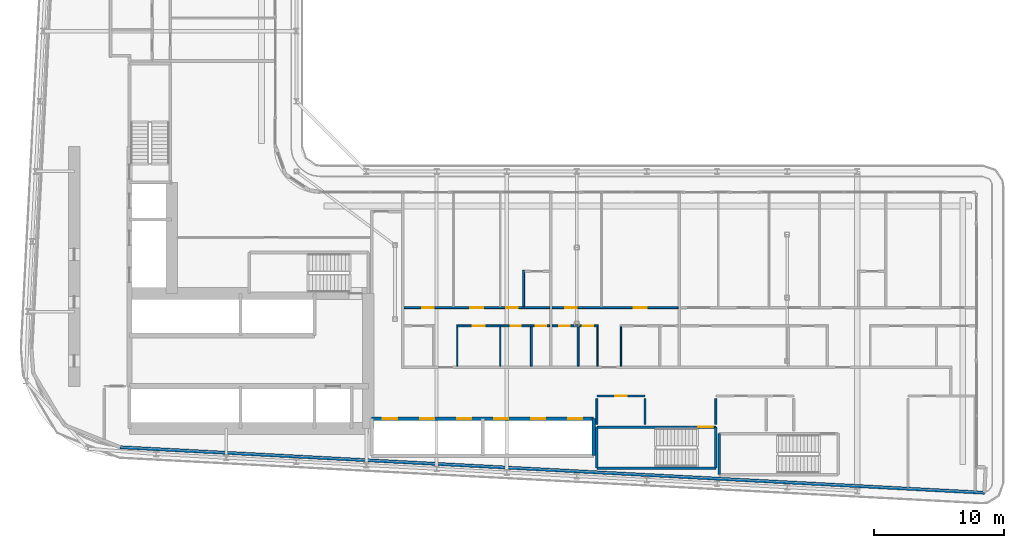
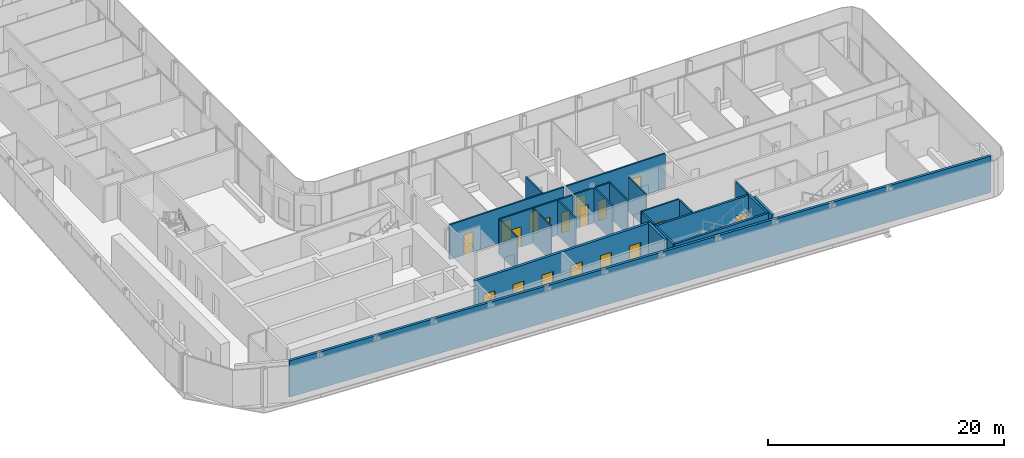
# One storey, part 14 of 28: 23 walls, 18 doors, 18 openings.
"""IFC4 building model written with IfcOpenShell, lengths in metres."""

import ifcopenshell
import ifcopenshell.guid

model = None  # the IFC model being written
_history = None  # IfcOwnerHistory: only IFC2X3 demands one
_inside = {}  # id of a spatial element -> (the spatial element, [elements in it])
_under = {}  # id of a project, library or spatial element -> (it, [spatial elements below it])
_declared = {}  # id of a project -> (the project, [libraries it declares])
_typed = {}  # id of a type object -> (the type object, [elements of that type])
_made_of = {}  # id of a material, layer set ... -> (it, [elements and type objects made of it])


def new_model(schema):
    """Start an empty IFC model of exactly this schema.

    Asked for "IFC4X3", IfcOpenShell would pick the latest addendum, in which some entities
    have other attributes; the version numbers below select the first issue.
    IFC2X3 requires an IfcOwnerHistory on every rooted entity: one is made here for all.
    """
    global model, _history
    if schema == "IFC4X3":
        model = ifcopenshell.file(schema_version=(4, 3, 0, 0))
    else:
        model = ifcopenshell.file(schema=schema)
    _inside.clear()
    _under.clear()
    _declared.clear()
    _typed.clear()
    _made_of.clear()
    _history = None
    if model.schema == "IFC2X3":
        org = make("IfcOrganization", Name="unknown")
        user = make(
            "IfcPersonAndOrganization",
            ThePerson=make("IfcPerson", FamilyName="unknown"),
            TheOrganization=org,
        )
        app = make(
            "IfcApplication",
            ApplicationDeveloper=org,
            Version="unknown",
            ApplicationFullName="unknown",
            ApplicationIdentifier="unknown",
        )
        _history = make(
            "IfcOwnerHistory",
            OwningUser=user,
            OwningApplication=app,
            ChangeAction="ADDED",
            CreationDate=0,
        )
    return model


def make(cls, **values):
    """One entity of the class cls with the attributes given. An attribute that is None is left unset."""
    return model.create_entity(
        cls, **{name: value for name, value in values.items() if value is not None}
    )


def rooted(cls, **values):
    """An entity with a GlobalId (a new one), such as an element, a storey or a relation."""
    return make(cls, GlobalId=ifcopenshell.guid.new(), OwnerHistory=_history, **values)


def si_unit(unit_type, name, prefix=None):
    """IfcSIUnit, for example si_unit("LENGTHUNIT", "METRE", prefix="MILLI")."""
    return make("IfcSIUnit", UnitType=unit_type, Prefix=prefix, Name=name)


def assignment(units):
    """IfcUnitAssignment: the units of a project."""
    return None if units is None else make("IfcUnitAssignment", Units=units)


def point(xyz):
    """IfcCartesianPoint."""
    return None if xyz is None else make("IfcCartesianPoint", Coordinates=xyz)


def direction(xyz):
    """IfcDirection."""
    return None if xyz is None else make("IfcDirection", DirectionRatios=xyz)


def frame(location, z_axis=None, x_axis=None):
    """IfcAxis2Placement3D, a coordinate frame: its origin and axes. An axis left out is left unset."""
    return make(
        "IfcAxis2Placement3D",
        Location=point(location),
        Axis=direction(z_axis),
        RefDirection=direction(x_axis),
    )


def frame_2d(location, x_axis=None):
    """IfcAxis2Placement2D, a coordinate frame in the plane: its origin and x axis."""
    return make(
        "IfcAxis2Placement2D", Location=point(location), RefDirection=direction(x_axis)
    )


def origin():
    """The frame at (0, 0, 0) with its axes left unset."""
    return frame((0.0, 0.0, 0.0))


def place(relative_to, where):
    """IfcLocalPlacement: puts the frame where relative to a parent placement (None: the world)."""
    return make(
        "IfcLocalPlacement", PlacementRelTo=relative_to, RelativePlacement=where
    )


def context(
    kind, dimensions, precision=None, world=None, true_north=None, identifier=None
):
    """IfcGeometricRepresentationContext, for example the 3D "Model" context."""
    return make(
        "IfcGeometricRepresentationContext",
        ContextIdentifier=identifier,
        ContextType=kind,
        CoordinateSpaceDimension=dimensions,
        Precision=precision,
        WorldCoordinateSystem=world,
        TrueNorth=true_north,
    )


def subcontext(parent, identifier, kind, view, scale=None):
    """IfcGeometricRepresentationSubContext, for example "Body" below "Model"."""
    return make(
        "IfcGeometricRepresentationSubContext",
        ContextIdentifier=identifier,
        ContextType=kind,
        ParentContext=parent,
        TargetScale=scale,
        TargetView=view,
    )


def project(units=None, contexts=None):
    """IfcProject with its units and contexts."""
    return rooted(
        "IfcProject",
        Name="project",
        RepresentationContexts=contexts,
        UnitsInContext=assignment(units),
    )


def spatial(cls, under=None, at=None, **own):
    """A site, building, storey or space (cls), placed at a placement, below another one or the project."""
    s = rooted(cls, ObjectPlacement=at, **own)
    if under is not None:
        _under.setdefault(under.id(), (under, []))[1].append(s)
    return s


def profile(cls, at=None, kind="AREA", **sizes):
    """A parametric profile (cls). Its sizes go by their IFC names, for example OverallWidth=200.0."""
    return make(cls, ProfileType=kind, Position=at, **sizes)


def rectangle(**sizes):
    """IfcRectangleProfileDef."""
    return profile("IfcRectangleProfileDef", **sizes)


def extrude(swept, where, along, depth):
    """IfcExtrudedAreaSolid: the profile swept, set in the frame where, extruded along a direction by depth."""
    return make(
        "IfcExtrudedAreaSolid",
        SweptArea=swept,
        Position=where,
        ExtrudedDirection=direction(along),
        Depth=depth,
    )


def shape(context_of_items, identifier, shape_type, items):
    """IfcShapeRepresentation: the items that make up one representation, for example the "Body"."""
    return make(
        "IfcShapeRepresentation",
        ContextOfItems=context_of_items,
        RepresentationIdentifier=identifier,
        RepresentationType=shape_type,
        Items=items,
    )


def source(mapping_origin, context_of_items, identifier, shape_type, items):
    """IfcRepresentationMap: a shape defined once, which mapped items show again and again."""
    return make(
        "IfcRepresentationMap",
        MappingOrigin=mapping_origin,
        MappedRepresentation=shape(context_of_items, identifier, shape_type, items),
    )


def transform(
    local_origin,
    x_axis=None,
    y_axis=None,
    z_axis=None,
    scale=None,
    scale2=None,
    scale3=None,
    uniform=True,
):
    """IfcCartesianTransformationOperator3D, or its non-uniform kind. x_axis, y_axis, z_axis: its Axis1, 2, 3."""
    if uniform:
        return make(
            "IfcCartesianTransformationOperator3D",
            Axis1=direction(x_axis),
            Axis2=direction(y_axis),
            LocalOrigin=point(local_origin),
            Scale=scale,
            Axis3=direction(z_axis),
        )
    return make(
        "IfcCartesianTransformationOperator3DnonUniform",
        Axis1=direction(x_axis),
        Axis2=direction(y_axis),
        LocalOrigin=point(local_origin),
        Scale=scale,
        Axis3=direction(z_axis),
        Scale2=scale2,
        Scale3=scale3,
    )


def mapped(mapping_source, mapping_target):
    """IfcMappedItem: shows the shape of a source again, moved by a transform."""
    return make(
        "IfcMappedItem", MappingSource=mapping_source, MappingTarget=mapping_target
    )


def material(Name=None, Category=None):
    """IfcMaterial."""
    return make("IfcMaterial", Name=Name, Category=Category)


def layer(
    of_material, thickness, ventilated=None, Name=None, Category=None, Priority=None
):
    """IfcMaterialLayer: one layer of a wall or slab, of a material (None: an air gap)."""
    return make(
        "IfcMaterialLayer",
        Material=of_material,
        LayerThickness=thickness,
        IsVentilated=ventilated,
        Name=Name,
        Category=Category,
        Priority=Priority,
    )


def layer_set(layers, Name=None):
    """IfcMaterialLayerSet."""
    return make("IfcMaterialLayerSet", MaterialLayers=layers, LayerSetName=Name)


def made_of(thing, what):
    """Note that an element or type object is made of a material, layer set ...; save() writes the relation."""
    if what is not None:
        _made_of.setdefault(what.id(), (what, []))[1].append(thing)
    return thing


def type_object(cls, material=None, **own):
    """A type object (cls), such as IfcWallType, which elements share."""
    return made_of(rooted(cls, **own), material)


def element(
    cls,
    number,
    at=None,
    inside=None,
    cuts=None,
    type_object=None,
    material=None,
    context=None,
    identifier="Body",
    shape_type=None,
    held_by="IfcProductDefinitionShape",
    body=None,
    shapes=None,
    **own,
):
    """One element of the class cls, such as IfcWall. Its Tag is "e" and its number.

    at: its placement. inside: the storey or other place that contains it. cuts: it is an
    opening in that element (IfcRelVoidsElement). A single representation is given by context,
    identifier, shape_type and body (its items); several are given by shapes. held_by: the class
    of the entity that holds the representations. save() writes the other relations.
    """
    e = rooted(cls, Tag="e%d" % number, ObjectPlacement=at, **own)
    if body is not None:
        shapes = [shape(context, identifier, shape_type, body)]
    if shapes is not None:
        e.Representation = make(held_by, Representations=shapes)
    if inside is not None:
        _inside.setdefault(inside.id(), (inside, []))[1].append(e)
    if cuts is not None:
        rooted(
            "IfcRelVoidsElement", RelatingBuildingElement=cuts, RelatedOpeningElement=e
        )
    if type_object is not None:
        _typed.setdefault(type_object.id(), (type_object, []))[1].append(e)
    return made_of(e, material)


def fill(opening, filler):
    """IfcRelFillsElement: the door or window that sits in an opening."""
    return rooted(
        "IfcRelFillsElement",
        RelatingOpeningElement=opening,
        RelatedBuildingElement=filler,
    )


def aggregate(whole, parts):
    """IfcRelAggregates: a whole, such as a stair, and the parts it consists of."""
    return rooted("IfcRelAggregates", RelatingObject=whole, RelatedObjects=parts)


def save(model, path):
    """Write the relations noted so far, then the file.

    IfcRelAggregates (storeys below a building ...), IfcRelContainedInSpatialStructure (elements
    in a storey), IfcRelDefinesByType, IfcRelAssociatesMaterial and IfcRelDeclares: one each for
    every whole, place, type object, material and project.
    """
    for whole, parts in _under.values():
        aggregate(whole, parts)
    for where, things in _inside.values():
        rooted(
            "IfcRelContainedInSpatialStructure",
            RelatedElements=things,
            RelatingStructure=where,
        )
    for kind, things in _typed.values():
        rooted("IfcRelDefinesByType", RelatedObjects=things, RelatingType=kind)
    for what, things in _made_of.values():
        rooted("IfcRelAssociatesMaterial", RelatedObjects=things, RelatingMaterial=what)
    for by, libraries in _declared.values():
        rooted("IfcRelDeclares", RelatingContext=by, RelatedDefinitions=libraries)
    model.write(path)


model = new_model("IFC4")

# Units and contexts
model_context = context("Model", 3, precision=1e-05, world=origin(), true_north=direction((0.0, 1.0)))
body_context = subcontext(model_context, "Body", "Model", "MODEL_VIEW")
ifc_project = project(units=[si_unit("LENGTHUNIT", "METRE"), si_unit("AREAUNIT", "SQUARE_METRE"), si_unit("VOLUMEUNIT", "CUBIC_METRE"), si_unit("PLANEANGLEUNIT", "RADIAN"), si_unit("MASSUNIT", "GRAM", prefix="KILO")], contexts=[model_context])

# Site, building, storey
site_placement = place(None, origin())
site = spatial("IfcSite", under=ifc_project, at=site_placement, CompositionType="ELEMENT")
building_placement = place(site_placement, origin())
building = spatial("IfcBuilding", under=site, at=building_placement, Name="Kheshtan School and Residences Tower", CompositionType="ELEMENT")
storey_placement = place(building_placement, frame((0.0, 0.0, 94.10009765625)))
storey = spatial("IfcBuildingStorey", under=building, at=storey_placement, Name="L21", CompositionType="ELEMENT", Elevation=94.10009765625)

# Walls
ifc_material_1 = material(Name="Concrete C40/50 with ceramic cladding and mineral wool insulation", Category="concrete")
ifc_layer_1 = layer(ifc_material_1, 0.25)
ifc_layer_set_1 = layer_set([ifc_layer_1], Name="External wall 250 ceramic clad")
wall_type_1 = type_object("IfcWallType", Name="External wall 250 ceramic clad", PredefinedType="SOLIDWALL", material=ifc_layer_set_1)
wall_1_placement = place(storey_placement, frame((100.5859375, 20.85009765625, 0.0), z_axis=(0.0, 0.0, 1.0), x_axis=(-0.99861746497, 0.052565755559, 0.0)))
element("IfcWall", 1, at=wall_1_placement, inside=storey, type_object=wall_type_1, Name="External wall L21 12", PredefinedType="SOLIDWALL", context=body_context, shape_type="SweptSolid", body=[
    extrude(rectangle(XDim=66.638916015625, YDim=0.25, at=frame_2d((33.3193359375, 0.0))), origin(), (0.0, 0.0, 1.0), 3.75),
])
ifc_material_2 = material(Name="Gypsum board on steel studs", Category="steel")
ifc_layer_2 = layer(ifc_material_2, 0.10009765625)
ifc_layer_set_2 = layer_set([ifc_layer_2], Name="Gypsum partition 100")
wall_type_2 = type_object("IfcWallType", Name="Gypsum partition 100", PredefinedType="PARTITIONING", material=ifc_layer_set_2)
for number, where, z_axis, x_axis, name in (
    (2, (60.0, 30.60009765625, 0.0), (0.0, 0.0, 1.0), (0.0, 1.0, 0.0), "Partition L21-039"),
    (3, (63.300048828125, 30.60009765625, 0.0), (0.0, 0.0, 1.0), (0.0, 1.0, 0.0), "Partition L21-040"),
    (4, (70.800048828125, 30.60009765625, 0.0), (0.0, 0.0, 1.0), (0.0, 1.0, 0.0), "Partition L21-049"),
    (5, (72.60009765625, 30.60009765625, 0.0), (0.0, 0.0, 1.0), (0.0, 1.0, 0.0), "Partition L21-052"),
):
    element("IfcWall", number, at=place(storey_placement, frame(where, z_axis=z_axis, x_axis=x_axis)), inside=storey, type_object=wall_type_2, Name=name, PredefinedType="PARTITIONING", context=body_context, shape_type="SweptSolid", body=[
        extrude(rectangle(XDim=3.02490234375, YDim=0.10009765625, at=frame_2d((1.512451171875, 0.0))), origin(), (0.0, 0.0, 1.0), 3.599853515625),
    ])

# Wall, opening, door
ifc_material_3 = material(Name="Fire-board shaft wall system")
ifc_layer_3 = layer(ifc_material_3, 0.14990234375)
ifc_layer_set_3 = layer_set([ifc_layer_3], Name="Service room wall 150")
wall_type_3 = type_object("IfcWallType", Name="Service room wall 150", PredefinedType="PARTITIONING", material=ifc_layer_set_3)
wall_2_placement = place(storey_placement, frame((70.75, 28.300048828125, 0.0), z_axis=(0.0, 0.0, 1.0), x_axis=(1.0, 0.0, 0.0)))
wall_2 = element("IfcWall", 6, at=wall_2_placement, inside=storey, type_object=wall_type_3, Name="Service room wall", PredefinedType="PARTITIONING", context=body_context, shape_type="SweptSolid", body=[
    extrude(rectangle(XDim=3.7041015625, YDim=0.14990234375, at=frame_2d((1.85205078125, 0.0))), origin(), (0.0, 0.0, 1.0), 3.89990234375),
])
opening_1_placement = place(wall_2_placement, frame((1.402099609375, 0.0, 0.0)))
opening_1 = element("IfcOpeningElement", 7, at=opening_1_placement, cuts=wall_2, Name="Opening SR90", PredefinedType="OPENING", context=body_context, shape_type="SweptSolid", body=[
    extrude(rectangle(XDim=0.89990234375, YDim=2.199951171875, at=frame_2d((0.449951171875, 1.10009765625))), frame((0.0, 0.0849609375, 0.0), z_axis=(0.0, -1.0, 0.0), x_axis=(1.0, 0.0, 0.0)), (0.0, 0.0, 1.0), 0.169921875),
])
ifc_material_4 = material(Name="Steel door leaf, galvanised", Category="steel")
door_type_1 = type_object("IfcDoorType", Name="Service room door 900 steel 90 min", OperationType="SINGLE_SWING_LEFT", PredefinedType="DOOR", material=ifc_material_4)
shared_shape_1 = source(origin(), body_context, "Body", "SweptSolid", [
    extrude(rectangle(XDim=0.89990234375, YDim=2.199951171875, at=frame_2d((0.449951171875, 1.10009765625))), frame((0.0, 0.02490234375, 0.0), z_axis=(0.0, -1.0, 0.0), x_axis=(1.0, 0.0, 0.0)), (0.0, 0.0, 1.0), 0.050048828125),
])
door_1_placement = place(opening_1_placement, origin())
door_1 = element("IfcDoor", 8, at=door_1_placement, inside=storey, type_object=door_type_1, Name="Service room door", OperationType="SINGLE_SWING_LEFT", OverallHeight=2.199951171875, OverallWidth=0.89990234375, PredefinedType="DOOR", context=body_context, shape_type="MappedRepresentation", body=[
    mapped(shared_shape_1, transform((0.0, 0.0, 0.0), x_axis=(1.0, 0.0, 0.0), y_axis=(0.0, 1.0, 0.0), z_axis=(0.0, 0.0, 1.0), scale=1.0)),
])
fill(opening_1, door_1)

# Walls
for number, where, z_axis, x_axis, name in (
    (9, (70.75, 26.1201171875, 0.0), (0.0, 0.0, 1.0), (0.0, 1.0, 0.0), "Service room wall"),
    (10, (74.4541015625, 26.1201171875, 0.0), (0.0, 0.0, 1.0), (0.0, 1.0, 0.0), "Service room wall"),
    (11, (79.909912109375, 26.1201171875, 0.0), (0.0, 0.0, 1.0), (0.0, 1.0, 0.0), "Service room wall"),
):
    element("IfcWall", number, at=place(storey_placement, frame(where, z_axis=z_axis, x_axis=x_axis)), inside=storey, type_object=wall_type_3, Name=name, PredefinedType="PARTITIONING", context=body_context, shape_type="SweptSolid", body=[
        extrude(rectangle(XDim=1.98486328125, YDim=0.14990234375, at=frame_2d((0.992431640625, 0.0))), origin(), (0.0, 0.0, 1.0), 3.89990234375),
    ])
ifc_layer_4 = layer(ifc_material_3, 0.25)
ifc_layer_set_4 = layer_set([ifc_layer_4], Name="Shaft lining wall 250")
wall_type_4 = type_object("IfcWallType", Name="Shaft lining wall 250", PredefinedType="PARTITIONING", material=ifc_layer_set_4)
wall_3_placement = place(storey_placement, frame((70.5, 23.699951171875, 0.0), z_axis=(0.0, 0.0, 1.0), x_axis=(0.0, 1.0, 0.0)))
element("IfcWall", 12, at=wall_3_placement, inside=storey, type_object=wall_type_4, Name="Shaft lining wall", PredefinedType="PARTITIONING", context=body_context, shape_type="SweptSolid", body=[
    extrude(rectangle(XDim=2.85009765625, YDim=0.25, at=frame_2d((1.425048828125, 0.0))), origin(), (0.0, 0.0, 1.0), 3.89990234375),
])

# Wall, openings, doors
wall_4_placement = place(storey_placement, frame((53.39990234375, 26.550048828125, 0.0), z_axis=(0.0, 0.0, 1.0), x_axis=(1.0, 0.0, 0.0)))
wall_4 = element("IfcWall", 13, at=wall_4_placement, inside=storey, type_object=wall_type_4, Name="Shaft lining wall", PredefinedType="PARTITIONING", context=body_context, shape_type="SweptSolid", body=[
    extrude(rectangle(XDim=17.10009765625, YDim=0.25, at=frame_2d((8.550048828125, 0.0))), origin(), (0.0, 0.0, 1.0), 3.89990234375),
])
opening_2_placement = place(wall_4_placement, frame((0.875, 0.0, 0.0)))
opening_2 = element("IfcOpeningElement", 14, at=opening_2_placement, cuts=wall_4, Name="Opening LD", PredefinedType="OPENING", context=body_context, shape_type="SweptSolid", body=[
    extrude(rectangle(XDim=1.10009765625, YDim=2.199951171875, at=frame_2d((0.550048828125, 1.10009765625))), frame((0.0, 0.135009765625, 0.0), z_axis=(0.0, -1.0, 0.0), x_axis=(1.0, 0.0, 0.0)), (0.0, 0.0, 1.0), 0.27001953125),
])
opening_3_placement = place(wall_4_placement, frame((3.72509765625, 0.0, 0.0)))
opening_3 = element("IfcOpeningElement", 15, at=opening_3_placement, cuts=wall_4, Name="Opening LD", PredefinedType="OPENING", context=body_context, shape_type="SweptSolid", body=[
    extrude(rectangle(XDim=1.10009765625, YDim=2.199951171875, at=frame_2d((0.550048828125, 1.10009765625))), frame((0.0, 0.135009765625, 0.0), z_axis=(0.0, -1.0, 0.0), x_axis=(1.0, 0.0, 0.0)), (0.0, 0.0, 1.0), 0.27001953125),
])
opening_4_placement = place(wall_4_placement, frame((6.574951171875, 0.0, 0.0)))
opening_4 = element("IfcOpeningElement", 16, at=opening_4_placement, cuts=wall_4, Name="Opening LD", PredefinedType="OPENING", context=body_context, shape_type="SweptSolid", body=[
    extrude(rectangle(XDim=1.10009765625, YDim=2.199951171875, at=frame_2d((0.550048828125, 1.10009765625))), frame((0.0, 0.135009765625, 0.0), z_axis=(0.0, -1.0, 0.0), x_axis=(1.0, 0.0, 0.0)), (0.0, 0.0, 1.0), 0.27001953125),
])
opening_5_placement = place(wall_4_placement, frame((9.425048828125, 0.0, 0.0)))
opening_5 = element("IfcOpeningElement", 17, at=opening_5_placement, cuts=wall_4, Name="Opening LD", PredefinedType="OPENING", context=body_context, shape_type="SweptSolid", body=[
    extrude(rectangle(XDim=1.10009765625, YDim=2.199951171875, at=frame_2d((0.550048828125, 1.10009765625))), frame((0.0, 0.135009765625, 0.0), z_axis=(0.0, -1.0, 0.0), x_axis=(1.0, 0.0, 0.0)), (0.0, 0.0, 1.0), 0.27001953125),
])
opening_6_placement = place(wall_4_placement, frame((12.27490234375, 0.0, 0.0)))
opening_6 = element("IfcOpeningElement", 18, at=opening_6_placement, cuts=wall_4, Name="Opening LD", PredefinedType="OPENING", context=body_context, shape_type="SweptSolid", body=[
    extrude(rectangle(XDim=1.10009765625, YDim=2.199951171875, at=frame_2d((0.550048828125, 1.10009765625))), frame((0.0, 0.135009765625, 0.0), z_axis=(0.0, -1.0, 0.0), x_axis=(1.0, 0.0, 0.0)), (0.0, 0.0, 1.0), 0.27001953125),
])
opening_7_placement = place(wall_4_placement, frame((15.125, 0.0, 0.0)))
opening_7 = element("IfcOpeningElement", 19, at=opening_7_placement, cuts=wall_4, Name="Opening LD", PredefinedType="OPENING", context=body_context, shape_type="SweptSolid", body=[
    extrude(rectangle(XDim=1.10009765625, YDim=2.199951171875, at=frame_2d((0.550048828125, 1.10009765625))), frame((0.0, 0.135009765625, 0.0), z_axis=(0.0, -1.0, 0.0), x_axis=(1.0, 0.0, 0.0)), (0.0, 0.0, 1.0), 0.27001953125),
])
ifc_material_5 = material(Name="Stainless steel door leaves", Category="steel")
door_type_2 = type_object("IfcDoorType", Name="Lift landing door 1100", OperationType="SLIDING_TO_LEFT", PredefinedType="DOOR", material=ifc_material_5)
shared_shape_2 = source(origin(), body_context, "Body", "SweptSolid", [
    extrude(rectangle(XDim=1.10009765625, YDim=2.199951171875, at=frame_2d((0.550048828125, 1.10009765625))), frame((0.0, 0.02490234375, 0.0), z_axis=(0.0, -1.0, 0.0), x_axis=(1.0, 0.0, 0.0)), (0.0, 0.0, 1.0), 0.050048828125),
])
door_2_placement = place(opening_2_placement, origin())
door_2 = element("IfcDoor", 20, at=door_2_placement, inside=storey, type_object=door_type_2, Name="Lift P1 landing door", OperationType="SLIDING_TO_LEFT", OverallHeight=2.199951171875, OverallWidth=1.10009765625, PredefinedType="DOOR", context=body_context, shape_type="MappedRepresentation", body=[
    mapped(shared_shape_2, transform((0.0, 0.0, 0.0), x_axis=(1.0, 0.0, 0.0), y_axis=(0.0, 1.0, 0.0), z_axis=(0.0, 0.0, 1.0), scale=1.0)),
])
fill(opening_2, door_2)
door_3_placement = place(opening_3_placement, origin())
door_3 = element("IfcDoor", 21, at=door_3_placement, inside=storey, type_object=door_type_2, Name="Lift P2 landing door", OperationType="SLIDING_TO_LEFT", OverallHeight=2.199951171875, OverallWidth=1.10009765625, PredefinedType="DOOR", context=body_context, shape_type="MappedRepresentation", body=[
    mapped(shared_shape_2, transform((0.0, 0.0, 0.0), x_axis=(1.0, 0.0, 0.0), y_axis=(0.0, 1.0, 0.0), z_axis=(0.0, 0.0, 1.0), scale=1.0)),
])
fill(opening_3, door_3)
door_4_placement = place(opening_4_placement, origin())
door_4 = element("IfcDoor", 22, at=door_4_placement, inside=storey, type_object=door_type_2, Name="Lift P3 landing door", OperationType="SLIDING_TO_LEFT", OverallHeight=2.199951171875, OverallWidth=1.10009765625, PredefinedType="DOOR", context=body_context, shape_type="MappedRepresentation", body=[
    mapped(shared_shape_2, transform((0.0, 0.0, 0.0), x_axis=(1.0, 0.0, 0.0), y_axis=(0.0, 1.0, 0.0), z_axis=(0.0, 0.0, 1.0), scale=1.0)),
])
fill(opening_4, door_4)
door_5_placement = place(opening_5_placement, origin())
door_5 = element("IfcDoor", 23, at=door_5_placement, inside=storey, type_object=door_type_2, Name="Lift P4 landing door", OperationType="SLIDING_TO_LEFT", OverallHeight=2.199951171875, OverallWidth=1.10009765625, PredefinedType="DOOR", context=body_context, shape_type="MappedRepresentation", body=[
    mapped(shared_shape_2, transform((0.0, 0.0, 0.0), x_axis=(1.0, 0.0, 0.0), y_axis=(0.0, 1.0, 0.0), z_axis=(0.0, 0.0, 1.0), scale=1.0)),
])
fill(opening_5, door_5)
door_6_placement = place(opening_6_placement, origin())
door_6 = element("IfcDoor", 24, at=door_6_placement, inside=storey, type_object=door_type_2, Name="Lift P5 landing door", OperationType="SLIDING_TO_LEFT", OverallHeight=2.199951171875, OverallWidth=1.10009765625, PredefinedType="DOOR", context=body_context, shape_type="MappedRepresentation", body=[
    mapped(shared_shape_2, transform((0.0, 0.0, 0.0), x_axis=(1.0, 0.0, 0.0), y_axis=(0.0, 1.0, 0.0), z_axis=(0.0, 0.0, 1.0), scale=1.0)),
])
fill(opening_6, door_6)
door_7_placement = place(opening_7_placement, origin())
door_7 = element("IfcDoor", 25, at=door_7_placement, inside=storey, type_object=door_type_2, Name="Lift P6 landing door", OperationType="SLIDING_TO_LEFT", OverallHeight=2.199951171875, OverallWidth=1.10009765625, PredefinedType="DOOR", context=body_context, shape_type="MappedRepresentation", body=[
    mapped(shared_shape_2, transform((0.0, 0.0, 0.0), x_axis=(1.0, 0.0, 0.0), y_axis=(0.0, 1.0, 0.0), z_axis=(0.0, 0.0, 1.0), scale=1.0)),
])
fill(opening_7, door_7)

# Walls
ifc_material_6 = material(Name="Concrete C40/50", Category="concrete")
ifc_layer_5 = layer(ifc_material_6, 0.199951171875)
ifc_layer_set_5 = layer_set([ifc_layer_5], Name="Stair enclosure wall 200 Concrete C40/50")
wall_type_5 = type_object("IfcWallType", Name="Stair enclosure wall 200 Concrete C40/50", PredefinedType="SHEAR", material=ifc_layer_set_5)
wall_5_placement = place(storey_placement, frame((80.159912109375, 22.25, 0.0), z_axis=(0.0, 0.0, 1.0), x_axis=(0.0, 1.0, 0.0)))
element("IfcWall", 26, at=wall_5_placement, inside=storey, type_object=wall_type_5, Name="Stair enclosure wall ST4", PredefinedType="SHEAR", context=body_context, shape_type="SweptSolid", body=[
    extrude(rectangle(XDim=3.14990234375, YDim=0.199951171875, at=frame_2d((1.574951171875, 0.0))), origin(), (0.0, 0.0, 1.0), 3.89990234375),
])
wall_6_placement = place(storey_placement, frame((70.75, 22.75, 0.0), z_axis=(0.0, 0.0, 1.0), x_axis=(1.0, 0.0, 0.0)))
element("IfcWall", 27, at=wall_6_placement, inside=storey, type_object=wall_type_5, Name="Stair enclosure wall ST5", PredefinedType="SHEAR", context=body_context, shape_type="SweptSolid", body=[
    extrude(rectangle(XDim=9.159912109375, YDim=0.199951171875, at=frame_2d((4.580078125, 0.0))), origin(), (0.0, 0.0, 1.0), 3.89990234375),
])

# Wall, opening, door
wall_7_placement = place(storey_placement, frame((70.75, 25.89990234375, 0.0), z_axis=(0.0, 0.0, 1.0), x_axis=(1.0, 0.0, 0.0)))
wall_7 = element("IfcWall", 28, at=wall_7_placement, inside=storey, type_object=wall_type_5, Name="Stair enclosure wall ST5", PredefinedType="SHEAR", context=body_context, shape_type="SweptSolid", body=[
    extrude(rectangle(XDim=9.159912109375, YDim=0.199951171875, at=frame_2d((4.580078125, 0.0))), origin(), (0.0, 0.0, 1.0), 3.89990234375),
])
opening_8_placement = place(wall_7_placement, frame((7.81005859375, 0.0, 0.0)))
opening_8 = element("IfcOpeningElement", 29, at=opening_8_placement, cuts=wall_7, Name="Opening ST5D", PredefinedType="OPENING", context=body_context, shape_type="SweptSolid", body=[
    extrude(rectangle(XDim=1.10009765625, YDim=2.199951171875, at=frame_2d((0.550048828125, 1.10009765625))), frame((0.0, 0.10986328125, 0.0), z_axis=(0.0, -1.0, 0.0), x_axis=(1.0, 0.0, 0.0)), (0.0, 0.0, 1.0), 0.219970703125),
])
door_type_3 = type_object("IfcDoorType", Name="Stair door 1100 steel 90 min", OperationType="SINGLE_SWING_LEFT", PredefinedType="DOOR", material=ifc_material_4)
shared_shape_3 = source(origin(), body_context, "Body", "SweptSolid", [
    extrude(rectangle(XDim=1.10009765625, YDim=2.199951171875, at=frame_2d((0.550048828125, 1.10009765625))), frame((0.0, 0.02490234375, 0.0), z_axis=(0.0, -1.0, 0.0), x_axis=(1.0, 0.0, 0.0)), (0.0, 0.0, 1.0), 0.050048828125),
])
door_8_placement = place(opening_8_placement, origin())
door_8 = element("IfcDoor", 30, at=door_8_placement, inside=storey, type_object=door_type_3, Name="Stair ST5 door", OperationType="SINGLE_SWING_LEFT", OverallHeight=2.199951171875, OverallWidth=1.10009765625, PredefinedType="DOOR", context=body_context, shape_type="MappedRepresentation", body=[
    mapped(shared_shape_3, transform((0.0, 0.0, 0.0), x_axis=(1.0, 0.0, 0.0), y_axis=(0.0, 1.0, 0.0), z_axis=(0.0, 0.0, 1.0), scale=1.0)),
])
fill(opening_8, door_8)

# Walls
for number, where, z_axis, x_axis, name in (
    (31, (70.75, 22.75, 0.0), (0.0, 0.0, 1.0), (0.0, 1.0, 0.0), "Stair enclosure wall ST5"),
    (32, (79.909912109375, 22.75, 0.0), (0.0, 0.0, 1.0), (0.0, 1.0, 0.0), "Stair enclosure wall ST5"),
):
    element("IfcWall", number, at=place(storey_placement, frame(where, z_axis=z_axis, x_axis=x_axis)), inside=storey, type_object=wall_type_5, Name=name, PredefinedType="SHEAR", context=body_context, shape_type="SweptSolid", body=[
        extrude(rectangle(XDim=3.14990234375, YDim=0.199951171875, at=frame_2d((1.574951171875, 0.0))), origin(), (0.0, 0.0, 1.0), 3.89990234375),
    ])

# Wall, openings, doors
ifc_material_7 = material(Name="Moisture-resistant gypsum board on steel studs", Category="steel")
ifc_layer_6 = layer(ifc_material_7, 0.14990234375)
ifc_layer_set_6 = layer_set([ifc_layer_6], Name="Wet-room partition 150")
wall_type_6 = type_object("IfcWallType", Name="Wet-room partition 150", PredefinedType="PARTITIONING", material=ifc_layer_set_6)
wall_8_placement = place(storey_placement, frame((55.89990234375, 35.10009765625, 0.0), z_axis=(0.0, 0.0, 1.0), x_axis=(1.0, 0.0, 0.0)))
wall_8 = element("IfcWall", 33, at=wall_8_placement, inside=storey, type_object=wall_type_6, Name="Partition L21-035", PredefinedType="PARTITIONING", context=body_context, shape_type="SweptSolid", body=[
    extrude(rectangle(XDim=11.2001953125, YDim=0.14990234375, at=frame_2d((5.60009765625, 0.0))), origin(), (0.0, 0.0, 1.0), 3.599853515625),
])
opening_9_placement = place(wall_8_placement, frame((1.39990234375, 0.0, 0.0)))
opening_9 = element("IfcOpeningElement", 34, at=opening_9_placement, cuts=wall_8, Name="Opening D21-002", PredefinedType="OPENING", context=body_context, shape_type="SweptSolid", body=[
    extrude(rectangle(XDim=0.89990234375, YDim=2.10009765625, at=frame_2d((0.449951171875, 1.050048828125))), frame((0.0, 0.0849609375, 0.0), z_axis=(0.0, -1.0, 0.0), x_axis=(1.0, 0.0, 0.0)), (0.0, 0.0, 1.0), 0.169921875),
])
opening_10_placement = place(wall_8_placement, frame((5.10009765625, 0.0, 0.0)))
opening_10 = element("IfcOpeningElement", 35, at=opening_10_placement, cuts=wall_8, Name="Opening D21-007", PredefinedType="OPENING", context=body_context, shape_type="SweptSolid", body=[
    extrude(rectangle(XDim=1.0, YDim=2.10009765625, at=frame_2d((0.5, 1.050048828125))), frame((0.0, 0.0849609375, 0.0), z_axis=(0.0, -1.0, 0.0), x_axis=(1.0, 0.0, 0.0)), (0.0, 0.0, 1.0), 0.169921875),
])
opening_11_placement = place(wall_8_placement, frame((7.85009765625, 0.0, 0.0)))
opening_11 = element("IfcOpeningElement", 36, at=opening_11_placement, cuts=wall_8, Name="Opening D21-008", PredefinedType="OPENING", context=body_context, shape_type="SweptSolid", body=[
    extrude(rectangle(XDim=0.89990234375, YDim=2.10009765625, at=frame_2d((0.449951171875, 1.050048828125))), frame((0.0, 0.0849609375, 0.0), z_axis=(0.0, -1.0, 0.0), x_axis=(1.0, 0.0, 0.0)), (0.0, 0.0, 1.0), 0.169921875),
])
ifc_material_8 = material(Name="Veneered timber door leaf", Category="wood")
door_type_4 = type_object("IfcDoorType", Name="Door 1000 x 2100", OperationType="SINGLE_SWING_LEFT", PredefinedType="DOOR", material=ifc_material_8)
shared_shape_4 = source(origin(), body_context, "Body", "SweptSolid", [
    extrude(rectangle(XDim=1.0, YDim=2.10009765625, at=frame_2d((0.5, 1.050048828125))), frame((0.0, 0.02490234375, 0.0), z_axis=(0.0, -1.0, 0.0), x_axis=(1.0, 0.0, 0.0)), (0.0, 0.0, 1.0), 0.050048828125),
])
door_9_placement = place(opening_10_placement, origin())
door_9 = element("IfcDoor", 37, at=door_9_placement, inside=storey, type_object=door_type_4, Name="Door D21-007", OperationType="SINGLE_SWING_RIGHT", OverallHeight=2.10009765625, OverallWidth=1.0, PredefinedType="DOOR", context=body_context, shape_type="MappedRepresentation", body=[
    mapped(shared_shape_4, transform((0.0, 0.0, 0.0), x_axis=(1.0, 0.0, 0.0), y_axis=(0.0, 1.0, 0.0), z_axis=(0.0, 0.0, 1.0), scale=1.0)),
])
fill(opening_10, door_9)
door_type_5 = type_object("IfcDoorType", Name="Door 900 x 2100", OperationType="SINGLE_SWING_LEFT", PredefinedType="DOOR", material=ifc_material_8)
shared_shape_5 = source(origin(), body_context, "Body", "SweptSolid", [
    extrude(rectangle(XDim=0.89990234375, YDim=2.10009765625, at=frame_2d((0.449951171875, 1.050048828125))), frame((0.0, 0.02490234375, 0.0), z_axis=(0.0, -1.0, 0.0), x_axis=(1.0, 0.0, 0.0)), (0.0, 0.0, 1.0), 0.050048828125),
])
door_10_placement = place(opening_9_placement, origin())
door_10 = element("IfcDoor", 38, at=door_10_placement, inside=storey, type_object=door_type_5, Name="Door D21-002", OperationType="SINGLE_SWING_RIGHT", OverallHeight=2.10009765625, OverallWidth=0.89990234375, PredefinedType="DOOR", context=body_context, shape_type="MappedRepresentation", body=[
    mapped(shared_shape_5, transform((0.0, 0.0, 0.0), x_axis=(1.0, 0.0, 0.0), y_axis=(0.0, 1.0, 0.0), z_axis=(0.0, 0.0, 1.0), scale=1.0)),
])
fill(opening_9, door_10)
door_11_placement = place(opening_11_placement, origin())
door_11 = element("IfcDoor", 39, at=door_11_placement, inside=storey, type_object=door_type_5, Name="Door D21-008", OperationType="SINGLE_SWING_LEFT", OverallHeight=2.10009765625, OverallWidth=0.89990234375, PredefinedType="DOOR", context=body_context, shape_type="MappedRepresentation", body=[
    mapped(shared_shape_5, transform((0.0, 0.0, 0.0), x_axis=(1.0, 0.0, 0.0), y_axis=(0.0, 1.0, 0.0), z_axis=(0.0, 0.0, 1.0), scale=1.0)),
])
fill(opening_11, door_11)

wall_9_placement = place(storey_placement, frame((59.949951171875, 33.699951171875, 0.0), z_axis=(0.0, 0.0, 1.0), x_axis=(1.0, 0.0, 0.0)))
wall_9 = element("IfcWall", 40, at=wall_9_placement, inside=storey, type_object=wall_type_6, Name="Partition L21-038", PredefinedType="PARTITIONING", context=body_context, shape_type="SweptSolid", body=[
    extrude(rectangle(XDim=7.150146484375, YDim=0.14990234375, at=frame_2d((3.5751953125, 0.0))), origin(), (0.0, 0.0, 1.0), 3.599853515625),
])
opening_12_placement = place(wall_9_placement, frame((4.14990234375, 0.0, 0.0)))
opening_12 = element("IfcOpeningElement", 41, at=opening_12_placement, cuts=wall_9, Name="Opening D21-003", PredefinedType="OPENING", context=body_context, shape_type="SweptSolid", body=[
    extrude(rectangle(XDim=0.800048828125, YDim=2.10009765625, at=frame_2d((0.39990234375, 1.050048828125))), frame((0.0, 0.0849609375, 0.0), z_axis=(0.0, -1.0, 0.0), x_axis=(1.0, 0.0, 0.0)), (0.0, 0.0, 1.0), 0.169921875),
])
opening_13_placement = place(wall_9_placement, frame((1.25, 0.0, 0.0)))
opening_13 = element("IfcOpeningElement", 42, at=opening_13_placement, cuts=wall_9, Name="Opening D21-006", PredefinedType="OPENING", context=body_context, shape_type="SweptSolid", body=[
    extrude(rectangle(XDim=0.89990234375, YDim=2.10009765625, at=frame_2d((0.449951171875, 1.050048828125))), frame((0.0, 0.0849609375, 0.0), z_axis=(0.0, -1.0, 0.0), x_axis=(1.0, 0.0, 0.0)), (0.0, 0.0, 1.0), 0.169921875),
])
opening_14_placement = place(wall_9_placement, frame((6.10009765625, 0.0, 0.0)))
opening_14 = element("IfcOpeningElement", 43, at=opening_14_placement, cuts=wall_9, Name="Opening D21-009", PredefinedType="OPENING", context=body_context, shape_type="SweptSolid", body=[
    extrude(rectangle(XDim=0.800048828125, YDim=2.10009765625, at=frame_2d((0.39990234375, 1.050048828125))), frame((0.0, 0.0849609375, 0.0), z_axis=(0.0, -1.0, 0.0), x_axis=(1.0, 0.0, 0.0)), (0.0, 0.0, 1.0), 0.169921875),
])
door_type_6 = type_object("IfcDoorType", Name="Door 800 x 2100", OperationType="SINGLE_SWING_LEFT", PredefinedType="DOOR", material=ifc_material_8)
shared_shape_6 = source(origin(), body_context, "Body", "SweptSolid", [
    extrude(rectangle(XDim=0.800048828125, YDim=2.10009765625, at=frame_2d((0.39990234375, 1.050048828125))), frame((0.0, 0.02490234375, 0.0), z_axis=(0.0, -1.0, 0.0), x_axis=(1.0, 0.0, 0.0)), (0.0, 0.0, 1.0), 0.050048828125),
])
door_12_placement = place(opening_12_placement, origin())
door_12 = element("IfcDoor", 44, at=door_12_placement, inside=storey, type_object=door_type_6, Name="Door D21-003", OperationType="SINGLE_SWING_LEFT", OverallHeight=2.10009765625, OverallWidth=0.800048828125, PredefinedType="DOOR", context=body_context, shape_type="MappedRepresentation", body=[
    mapped(shared_shape_6, transform((0.0, 0.0, 0.0), x_axis=(1.0, 0.0, 0.0), y_axis=(0.0, 1.0, 0.0), z_axis=(0.0, 0.0, 1.0), scale=1.0)),
])
fill(opening_12, door_12)
door_13_placement = place(opening_14_placement, origin())
door_13 = element("IfcDoor", 45, at=door_13_placement, inside=storey, type_object=door_type_6, Name="Door D21-009", OperationType="SINGLE_SWING_RIGHT", OverallHeight=2.10009765625, OverallWidth=0.800048828125, PredefinedType="DOOR", context=body_context, shape_type="MappedRepresentation", body=[
    mapped(shared_shape_6, transform((0.0, 0.0, 0.0), x_axis=(1.0, 0.0, 0.0), y_axis=(0.0, 1.0, 0.0), z_axis=(0.0, 0.0, 1.0), scale=1.0)),
])
fill(opening_14, door_13)
door_14_placement = place(opening_13_placement, origin())
door_14 = element("IfcDoor", 46, at=door_14_placement, inside=storey, type_object=door_type_5, Name="Door D21-006", OperationType="SINGLE_SWING_LEFT", OverallHeight=2.10009765625, OverallWidth=0.89990234375, PredefinedType="DOOR", context=body_context, shape_type="MappedRepresentation", body=[
    mapped(shared_shape_5, transform((0.0, 0.0, 0.0), x_axis=(1.0, 0.0, 0.0), y_axis=(0.0, 1.0, 0.0), z_axis=(0.0, 0.0, 1.0), scale=1.0)),
])
fill(opening_13, door_14)

# Walls
wall_10_placement = place(storey_placement, frame((65.10009765625, 35.175048828125, 0.0), z_axis=(0.0, 0.0, 1.0), x_axis=(0.0, 1.0, 0.0)))
element("IfcWall", 47, at=wall_10_placement, inside=storey, type_object=wall_type_6, Name="Partition L21-042", PredefinedType="PARTITIONING", context=body_context, shape_type="SweptSolid", body=[
    extrude(rectangle(XDim=2.800048828125, YDim=0.14990234375, at=frame_2d((1.39990234375, 0.0))), origin(), (0.0, 0.0, 1.0), 3.599853515625),
])
wall_11_placement = place(storey_placement, frame((65.699951171875, 30.60009765625, 0.0), z_axis=(0.0, 0.0, 1.0), x_axis=(0.0, 1.0, 0.0)))
element("IfcWall", 48, at=wall_11_placement, inside=storey, type_object=wall_type_6, Name="Partition L21-044", PredefinedType="PARTITIONING", context=body_context, shape_type="SweptSolid", body=[
    extrude(rectangle(XDim=3.02490234375, YDim=0.14990234375, at=frame_2d((1.512451171875, 0.0))), origin(), (0.0, 0.0, 1.0), 3.599853515625),
])

# Wall, openings, doors
wall_12_placement = place(storey_placement, frame((67.300048828125, 33.699951171875, 0.0), z_axis=(0.0, 0.0, 1.0), x_axis=(1.0, 0.0, 0.0)))
wall_12 = element("IfcWall", 49, at=wall_12_placement, inside=storey, type_object=wall_type_6, Name="Partition L21-046", PredefinedType="PARTITIONING", context=body_context, shape_type="SweptSolid", body=[
    extrude(rectangle(XDim=3.550048828125, YDim=0.14990234375, at=frame_2d((1.77490234375, 0.0))), origin(), (0.0, 0.0, 1.0), 3.599853515625),
])
opening_15_placement = place(wall_12_placement, frame((0.550048828125, 0.0, 0.0)))
opening_15 = element("IfcOpeningElement", 50, at=opening_15_placement, cuts=wall_12, Name="Opening D21-010", PredefinedType="OPENING", context=body_context, shape_type="SweptSolid", body=[
    extrude(rectangle(XDim=0.800048828125, YDim=2.10009765625, at=frame_2d((0.39990234375, 1.050048828125))), frame((0.0, 0.0849609375, 0.0), z_axis=(0.0, -1.0, 0.0), x_axis=(1.0, 0.0, 0.0)), (0.0, 0.0, 1.0), 0.169921875),
])
opening_16_placement = place(wall_12_placement, frame((2.35009765625, 0.0, 0.0)))
opening_16 = element("IfcOpeningElement", 51, at=opening_16_placement, cuts=wall_12, Name="Opening D21-015", PredefinedType="OPENING", context=body_context, shape_type="SweptSolid", body=[
    extrude(rectangle(XDim=0.800048828125, YDim=2.10009765625, at=frame_2d((0.39990234375, 1.050048828125))), frame((0.0, 0.0849609375, 0.0), z_axis=(0.0, -1.0, 0.0), x_axis=(1.0, 0.0, 0.0)), (0.0, 0.0, 1.0), 0.169921875),
])
door_15_placement = place(opening_15_placement, origin())
door_15 = element("IfcDoor", 52, at=door_15_placement, inside=storey, type_object=door_type_6, Name="Door D21-010", OperationType="SINGLE_SWING_LEFT", OverallHeight=2.10009765625, OverallWidth=0.800048828125, PredefinedType="DOOR", context=body_context, shape_type="MappedRepresentation", body=[
    mapped(shared_shape_6, transform((0.0, 0.0, 0.0), x_axis=(1.0, 0.0, 0.0), y_axis=(0.0, 1.0, 0.0), z_axis=(0.0, 0.0, 1.0), scale=1.0)),
])
fill(opening_15, door_15)
door_16_placement = place(opening_16_placement, origin())
door_16 = element("IfcDoor", 53, at=door_16_placement, inside=storey, type_object=door_type_6, Name="Door D21-015", OperationType="SINGLE_SWING_LEFT", OverallHeight=2.10009765625, OverallWidth=0.800048828125, PredefinedType="DOOR", context=body_context, shape_type="MappedRepresentation", body=[
    mapped(shared_shape_6, transform((0.0, 0.0, 0.0), x_axis=(1.0, 0.0, 0.0), y_axis=(0.0, 1.0, 0.0), z_axis=(0.0, 0.0, 1.0), scale=1.0)),
])
fill(opening_16, door_16)

wall_13_placement = place(storey_placement, frame((67.300048828125, 35.10009765625, 0.0), z_axis=(0.0, 0.0, 1.0), x_axis=(1.0, 0.0, 0.0)))
wall_13 = element("IfcWall", 54, at=wall_13_placement, inside=storey, type_object=wall_type_6, Name="Partition L21-047", PredefinedType="PARTITIONING", context=body_context, shape_type="SweptSolid", body=[
    extrude(rectangle(XDim=9.699951171875, YDim=0.14990234375, at=frame_2d((4.85009765625, 0.0))), origin(), (0.0, 0.0, 1.0), 3.599853515625),
])
opening_17_placement = place(wall_13_placement, frame((1.0, 0.0, 0.0)))
opening_17 = element("IfcOpeningElement", 55, at=opening_17_placement, cuts=wall_13, Name="Opening D21-011", PredefinedType="OPENING", context=body_context, shape_type="SweptSolid", body=[
    extrude(rectangle(XDim=0.89990234375, YDim=2.10009765625, at=frame_2d((0.449951171875, 1.050048828125))), frame((0.0, 0.0849609375, 0.0), z_axis=(0.0, -1.0, 0.0), x_axis=(1.0, 0.0, 0.0)), (0.0, 0.0, 1.0), 0.169921875),
])
opening_18_placement = place(wall_13_placement, frame((6.300048828125, 0.0, 0.0)))
opening_18 = element("IfcOpeningElement", 56, at=opening_18_placement, cuts=wall_13, Name="Opening D21-014", PredefinedType="OPENING", context=body_context, shape_type="SweptSolid", body=[
    extrude(rectangle(XDim=1.0, YDim=2.10009765625, at=frame_2d((0.5, 1.050048828125))), frame((0.0, 0.0849609375, 0.0), z_axis=(0.0, -1.0, 0.0), x_axis=(1.0, 0.0, 0.0)), (0.0, 0.0, 1.0), 0.169921875),
])
door_17_placement = place(opening_18_placement, origin())
door_17 = element("IfcDoor", 57, at=door_17_placement, inside=storey, type_object=door_type_4, Name="Door D21-014", OperationType="SINGLE_SWING_RIGHT", OverallHeight=2.10009765625, OverallWidth=1.0, PredefinedType="DOOR", context=body_context, shape_type="MappedRepresentation", body=[
    mapped(shared_shape_4, transform((0.0, 0.0, 0.0), x_axis=(1.0, 0.0, 0.0), y_axis=(0.0, 1.0, 0.0), z_axis=(0.0, 0.0, 1.0), scale=1.0)),
])
fill(opening_18, door_17)
door_18_placement = place(opening_17_placement, origin())
door_18 = element("IfcDoor", 58, at=door_18_placement, inside=storey, type_object=door_type_5, Name="Door D21-011", OperationType="SINGLE_SWING_RIGHT", OverallHeight=2.10009765625, OverallWidth=0.89990234375, PredefinedType="DOOR", context=body_context, shape_type="MappedRepresentation", body=[
    mapped(shared_shape_5, transform((0.0, 0.0, 0.0), x_axis=(1.0, 0.0, 0.0), y_axis=(0.0, 1.0, 0.0), z_axis=(0.0, 0.0, 1.0), scale=1.0)),
])
fill(opening_17, door_18)

# Wall
wall_14_placement = place(storey_placement, frame((69.300048828125, 30.60009765625, 0.0), z_axis=(0.0, 0.0, 1.0), x_axis=(0.0, 1.0, 0.0)))
element("IfcWall", 59, at=wall_14_placement, inside=storey, type_object=wall_type_6, Name="Partition L21-048", PredefinedType="PARTITIONING", context=body_context, shape_type="SweptSolid", body=[
    extrude(rectangle(XDim=3.02490234375, YDim=0.14990234375, at=frame_2d((1.512451171875, 0.0))), origin(), (0.0, 0.0, 1.0), 3.599853515625),
])

save(model, "model.ifc")
